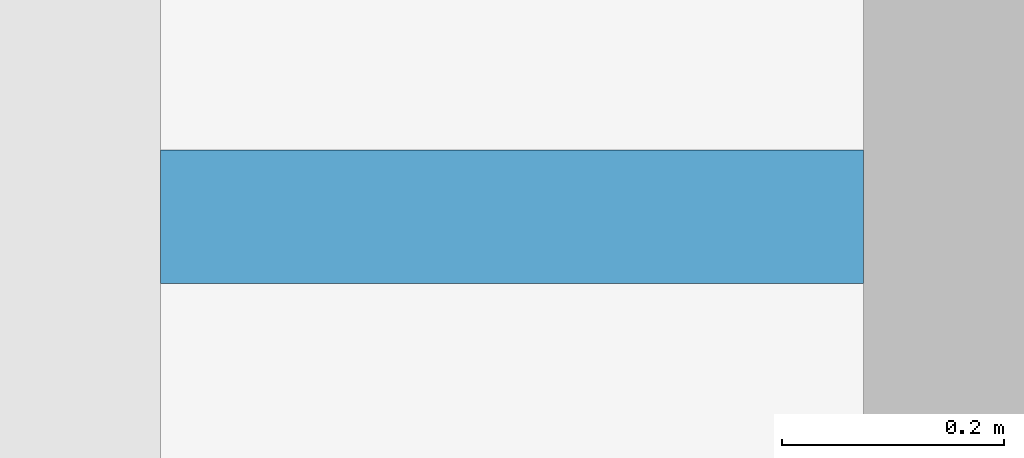
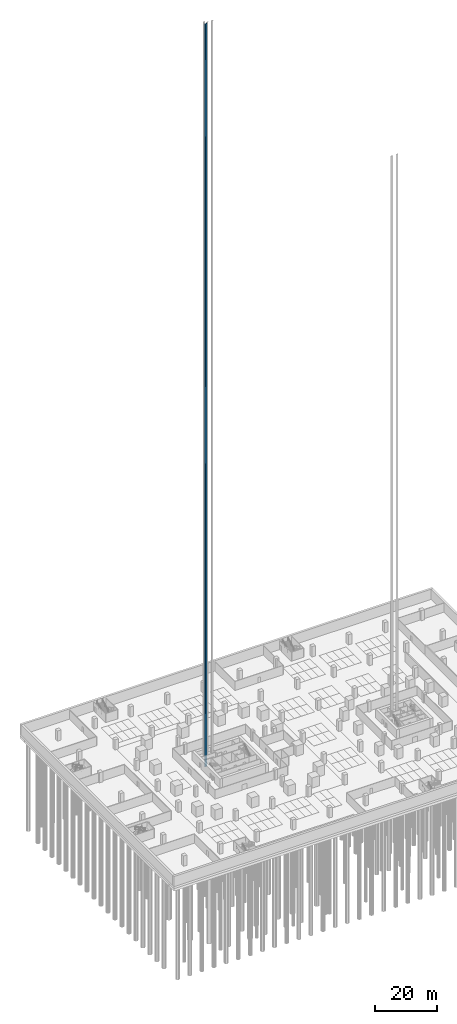
# One storey, part 19 of 40: 1 discrete accessory.
"""IFC4 building model written with IfcOpenShell, lengths in metres."""

import ifcopenshell
import ifcopenshell.guid

model = None  # the IFC model being written
_history = None  # IfcOwnerHistory: only IFC2X3 demands one
_inside = {}  # id of a spatial element -> (the spatial element, [elements in it])
_under = {}  # id of a project, library or spatial element -> (it, [spatial elements below it])
_declared = {}  # id of a project -> (the project, [libraries it declares])
_typed = {}  # id of a type object -> (the type object, [elements of that type])
_made_of = {}  # id of a material, layer set ... -> (it, [elements and type objects made of it])


def new_model(schema):
    """Start an empty IFC model of exactly this schema.

    Asked for "IFC4X3", IfcOpenShell would pick the latest addendum, in which some entities
    have other attributes; the version numbers below select the first issue.
    IFC2X3 requires an IfcOwnerHistory on every rooted entity: one is made here for all.
    """
    global model, _history
    if schema == "IFC4X3":
        model = ifcopenshell.file(schema_version=(4, 3, 0, 0))
    else:
        model = ifcopenshell.file(schema=schema)
    _inside.clear()
    _under.clear()
    _declared.clear()
    _typed.clear()
    _made_of.clear()
    _history = None
    if model.schema == "IFC2X3":
        org = make("IfcOrganization", Name="unknown")
        user = make(
            "IfcPersonAndOrganization",
            ThePerson=make("IfcPerson", FamilyName="unknown"),
            TheOrganization=org,
        )
        app = make(
            "IfcApplication",
            ApplicationDeveloper=org,
            Version="unknown",
            ApplicationFullName="unknown",
            ApplicationIdentifier="unknown",
        )
        _history = make(
            "IfcOwnerHistory",
            OwningUser=user,
            OwningApplication=app,
            ChangeAction="ADDED",
            CreationDate=0,
        )
    return model


def make(cls, **values):
    """One entity of the class cls with the attributes given. An attribute that is None is left unset."""
    return model.create_entity(
        cls, **{name: value for name, value in values.items() if value is not None}
    )


def rooted(cls, **values):
    """An entity with a GlobalId (a new one), such as an element, a storey or a relation."""
    return make(cls, GlobalId=ifcopenshell.guid.new(), OwnerHistory=_history, **values)


def si_unit(unit_type, name, prefix=None):
    """IfcSIUnit, for example si_unit("LENGTHUNIT", "METRE", prefix="MILLI")."""
    return make("IfcSIUnit", UnitType=unit_type, Prefix=prefix, Name=name)


def assignment(units):
    """IfcUnitAssignment: the units of a project."""
    return None if units is None else make("IfcUnitAssignment", Units=units)


def point(xyz):
    """IfcCartesianPoint."""
    return None if xyz is None else make("IfcCartesianPoint", Coordinates=xyz)


def direction(xyz):
    """IfcDirection."""
    return None if xyz is None else make("IfcDirection", DirectionRatios=xyz)


def frame(location, z_axis=None, x_axis=None):
    """IfcAxis2Placement3D, a coordinate frame: its origin and axes. An axis left out is left unset."""
    return make(
        "IfcAxis2Placement3D",
        Location=point(location),
        Axis=direction(z_axis),
        RefDirection=direction(x_axis),
    )


def frame_2d(location, x_axis=None):
    """IfcAxis2Placement2D, a coordinate frame in the plane: its origin and x axis."""
    return make(
        "IfcAxis2Placement2D", Location=point(location), RefDirection=direction(x_axis)
    )


def origin():
    """The frame at (0, 0, 0) with its axes left unset."""
    return frame((0.0, 0.0, 0.0))


def origin_2d():
    """The frame at (0, 0) in the plane with its x axis left unset."""
    return frame_2d((0.0, 0.0))


def place(relative_to, where):
    """IfcLocalPlacement: puts the frame where relative to a parent placement (None: the world)."""
    return make(
        "IfcLocalPlacement", PlacementRelTo=relative_to, RelativePlacement=where
    )


def context(
    kind, dimensions, precision=None, world=None, true_north=None, identifier=None
):
    """IfcGeometricRepresentationContext, for example the 3D "Model" context."""
    return make(
        "IfcGeometricRepresentationContext",
        ContextIdentifier=identifier,
        ContextType=kind,
        CoordinateSpaceDimension=dimensions,
        Precision=precision,
        WorldCoordinateSystem=world,
        TrueNorth=true_north,
    )


def subcontext(parent, identifier, kind, view, scale=None):
    """IfcGeometricRepresentationSubContext, for example "Body" below "Model"."""
    return make(
        "IfcGeometricRepresentationSubContext",
        ContextIdentifier=identifier,
        ContextType=kind,
        ParentContext=parent,
        TargetScale=scale,
        TargetView=view,
    )


def project(units=None, contexts=None):
    """IfcProject with its units and contexts."""
    return rooted(
        "IfcProject",
        Name="project",
        RepresentationContexts=contexts,
        UnitsInContext=assignment(units),
    )


def spatial(cls, under=None, at=None, **own):
    """A site, building, storey or space (cls), placed at a placement, below another one or the project."""
    s = rooted(cls, ObjectPlacement=at, **own)
    if under is not None:
        _under.setdefault(under.id(), (under, []))[1].append(s)
    return s


def profile(cls, at=None, kind="AREA", **sizes):
    """A parametric profile (cls). Its sizes go by their IFC names, for example OverallWidth=200.0."""
    return make(cls, ProfileType=kind, Position=at, **sizes)


def rectangle(**sizes):
    """IfcRectangleProfileDef."""
    return profile("IfcRectangleProfileDef", **sizes)


def extrude(swept, where, along, depth):
    """IfcExtrudedAreaSolid: the profile swept, set in the frame where, extruded along a direction by depth."""
    return make(
        "IfcExtrudedAreaSolid",
        SweptArea=swept,
        Position=where,
        ExtrudedDirection=direction(along),
        Depth=depth,
    )


def shape(context_of_items, identifier, shape_type, items):
    """IfcShapeRepresentation: the items that make up one representation, for example the "Body"."""
    return make(
        "IfcShapeRepresentation",
        ContextOfItems=context_of_items,
        RepresentationIdentifier=identifier,
        RepresentationType=shape_type,
        Items=items,
    )


def made_of(thing, what):
    """Note that an element or type object is made of a material, layer set ...; save() writes the relation."""
    if what is not None:
        _made_of.setdefault(what.id(), (what, []))[1].append(thing)
    return thing


def element(
    cls,
    number,
    at=None,
    inside=None,
    cuts=None,
    type_object=None,
    material=None,
    context=None,
    identifier="Body",
    shape_type=None,
    held_by="IfcProductDefinitionShape",
    body=None,
    shapes=None,
    **own,
):
    """One element of the class cls, such as IfcWall. Its Tag is "e" and its number.

    at: its placement. inside: the storey or other place that contains it. cuts: it is an
    opening in that element (IfcRelVoidsElement). A single representation is given by context,
    identifier, shape_type and body (its items); several are given by shapes. held_by: the class
    of the entity that holds the representations. save() writes the other relations.
    """
    e = rooted(cls, Tag="e%d" % number, ObjectPlacement=at, **own)
    if body is not None:
        shapes = [shape(context, identifier, shape_type, body)]
    if shapes is not None:
        e.Representation = make(held_by, Representations=shapes)
    if inside is not None:
        _inside.setdefault(inside.id(), (inside, []))[1].append(e)
    if cuts is not None:
        rooted(
            "IfcRelVoidsElement", RelatingBuildingElement=cuts, RelatedOpeningElement=e
        )
    if type_object is not None:
        _typed.setdefault(type_object.id(), (type_object, []))[1].append(e)
    return made_of(e, material)


def aggregate(whole, parts):
    """IfcRelAggregates: a whole, such as a stair, and the parts it consists of."""
    return rooted("IfcRelAggregates", RelatingObject=whole, RelatedObjects=parts)


def save(model, path):
    """Write the relations noted so far, then the file.

    IfcRelAggregates (storeys below a building ...), IfcRelContainedInSpatialStructure (elements
    in a storey), IfcRelDefinesByType, IfcRelAssociatesMaterial and IfcRelDeclares: one each for
    every whole, place, type object, material and project.
    """
    for whole, parts in _under.values():
        aggregate(whole, parts)
    for where, things in _inside.values():
        rooted(
            "IfcRelContainedInSpatialStructure",
            RelatedElements=things,
            RelatingStructure=where,
        )
    for kind, things in _typed.values():
        rooted("IfcRelDefinesByType", RelatedObjects=things, RelatingType=kind)
    for what, things in _made_of.values():
        rooted("IfcRelAssociatesMaterial", RelatedObjects=things, RelatingMaterial=what)
    for by, libraries in _declared.values():
        rooted("IfcRelDeclares", RelatingContext=by, RelatedDefinitions=libraries)
    model.write(path)


model = new_model("IFC4")

# Units and contexts
model_context = context("Model", 3, precision=1e-05, world=origin(), true_north=direction((0.0, 1.0)))
body_context = subcontext(model_context, "Body", "Model", "MODEL_VIEW")
ifc_project = project(units=[si_unit("LENGTHUNIT", "METRE"), si_unit("AREAUNIT", "SQUARE_METRE"), si_unit("VOLUMEUNIT", "CUBIC_METRE"), si_unit("PLANEANGLEUNIT", "RADIAN"), si_unit("MASSUNIT", "GRAM", prefix="KILO")], contexts=[model_context])

# Site, building, storey
site_placement = place(None, origin())
site = spatial("IfcSite", under=ifc_project, at=site_placement, CompositionType="ELEMENT")
building_placement = place(site_placement, origin())
building = spatial("IfcBuilding", under=site, at=building_placement, Name="Altepetl Exchange Towers", CompositionType="ELEMENT")
storey_placement = place(building_placement, frame((0.0, 0.0, -8.0)))
storey = spatial("IfcBuildingStorey", under=building, at=storey_placement, Name="B2 Basement parking", CompositionType="ELEMENT", Elevation=-8.0)

# Discrete accessory
discrete_accessory_placement = place(storey_placement, frame((43.75, 55.199951171875, -1.60009765625)))
element("IfcDiscreteAccessory", 1, at=discrete_accessory_placement, inside=storey, Name="Guide rail FFL1", ObjectType="GUIDE RAIL", PredefinedType="USERDEFINED", context=body_context, shape_type="SweptSolid", body=[
    extrude(rectangle(XDim=0.63330078125, YDim=0.1201171875, at=origin_2d()), origin(), (0.0, 0.0, 1.0), 291.699951171875),
])

save(model, "model.ifc")
